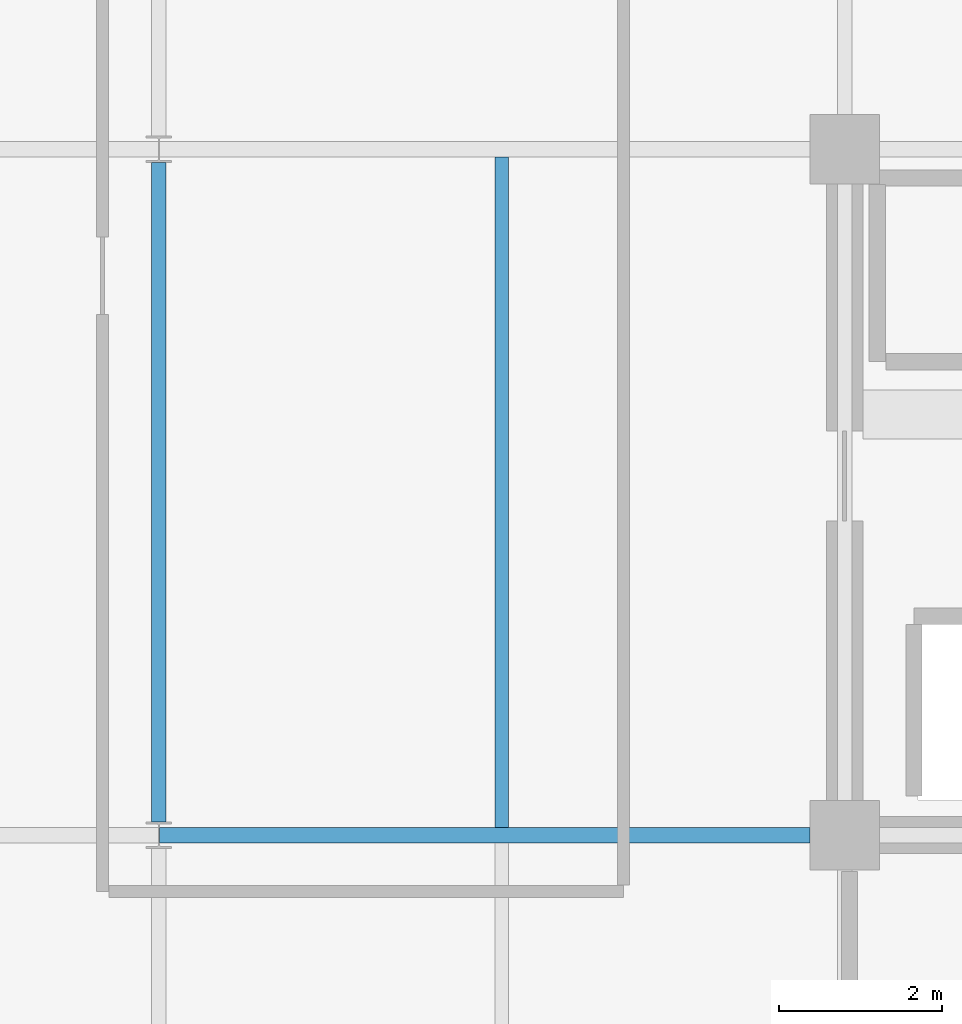
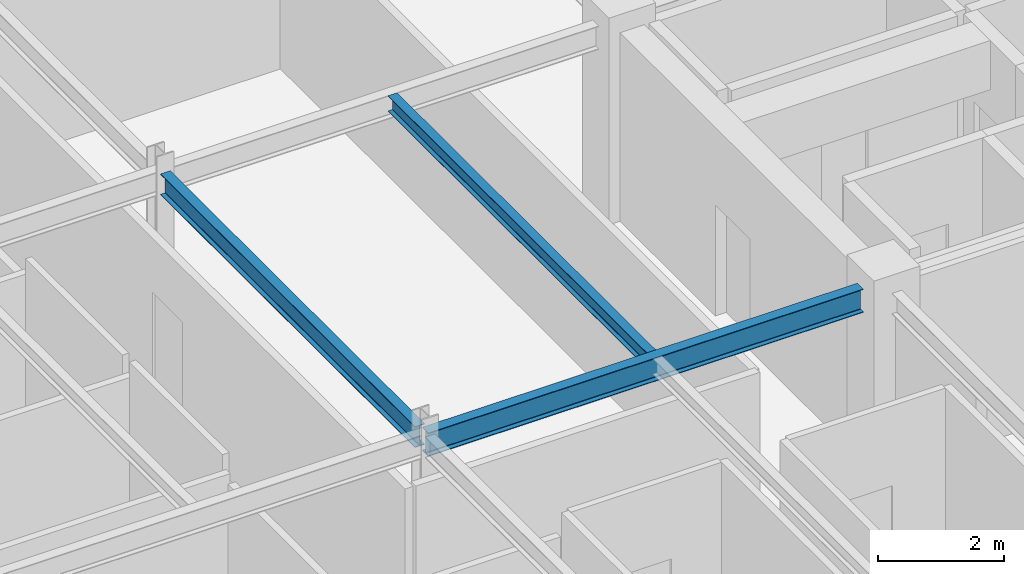
# One storey, part 6 of 26: 3 beams.
"""IFC4 building model written with IfcOpenShell, lengths in metres."""

from ifc_helpers import new_model, si_unit, direction, frame, origin, origin_2d, place, context, subcontext, project, spatial, i_section, extrude, material, material_profile, profile_set, type_object, element, save


model = new_model("IFC4")

# Units and contexts
model_context = context("Model", 3, precision=1e-05, world=origin(), true_north=direction((0.0, 1.0)))
body_context = subcontext(model_context, "Body", "Model", "MODEL_VIEW")
ifc_project = project(units=[si_unit("LENGTHUNIT", "METRE"), si_unit("AREAUNIT", "SQUARE_METRE"), si_unit("VOLUMEUNIT", "CUBIC_METRE"), si_unit("PLANEANGLEUNIT", "RADIAN"), si_unit("MASSUNIT", "GRAM", prefix="KILO")], contexts=[model_context])

# Site, building, storey
site_placement = place(None, origin())
site = spatial("IfcSite", under=ifc_project, at=site_placement, CompositionType="ELEMENT")
building_placement = place(site_placement, origin())
building = spatial("IfcBuilding", under=site, at=building_placement, Name="Nerrivon Quay Data Exchange", CompositionType="ELEMENT")
storey_placement = place(building_placement, frame((0.0, 0.0, 282.199951171875)))
storey = spatial("IfcBuildingStorey", under=building, at=storey_placement, Name="L67", CompositionType="ELEMENT", Elevation=282.199951171875)

# Beams
ifc_material = material(Name="Steel Grade 350", Category="steel")
ifc_material_profile_1 = material_profile(ifc_material, i_section(OverallWidth=0.18994140625, OverallDepth=0.4541015625, WebThickness=0.008544921875, FlangeThickness=0.0126953125, FilletRadius=0.011474609375, at=origin_2d()), Name="460UB67.1")
ifc_profile_set_1 = profile_set([ifc_material_profile_1], Name="Steel Grade 350")
beam_type_1 = type_object("IfcBeamType", Name="BM-G6-460UB67", PredefinedType="BEAM", material=ifc_profile_set_1)
beam_1_placement = place(storey_placement, frame((8.40771484375, 8.39990234375, 3.423095703125), z_axis=(1.0, 0.0, 0.0), x_axis=(0.0, 1.0, 0.0)))
element("IfcBeam", 1, at=beam_1_placement, inside=storey, type_object=beam_type_1, Name="L67 EW Girder Y=8.4 (8.4..16.8)", PredefinedType="BEAM", context=body_context, shape_type="SweptSolid", body=[
    extrude(i_section(OverallWidth=0.18994140625, OverallDepth=0.4541015625, WebThickness=0.008544921875, FlangeThickness=0.0126953125, FilletRadius=0.011474609375, at=origin_2d()), origin(), (0.0, 0.0, 1.0), 7.96728515625),
])
ifc_material_profile_2 = material_profile(ifc_material, i_section(OverallWidth=0.177978515625, OverallDepth=0.406005859375, WebThickness=0.0078125, FlangeThickness=0.0126953125, FilletRadius=0.011474609375, at=origin_2d()), Name="410UB59.7")
ifc_profile_set_2 = profile_set([ifc_material_profile_2], Name="Steel Grade 350")
beam_type_2 = type_object("IfcBeamType", Name="BM-J1-410UB60", PredefinedType="JOIST", material=ifc_profile_set_2)
beam_2_placement = place(storey_placement, frame((8.39990234375, 8.5634765625, 3.447021484375), z_axis=(0.0, 1.0, 0.0), x_axis=(-1.0, 0.0, 0.0)))
element("IfcBeam", 2, at=beam_2_placement, inside=storey, type_object=beam_type_2, Name="L67 NS Girder X=8.4 (8.4..16.8)", PredefinedType="JOIST", context=body_context, shape_type="SweptSolid", body=[
    extrude(i_section(OverallWidth=0.177978515625, OverallDepth=0.406005859375, WebThickness=0.0078125, FlangeThickness=0.0126953125, FilletRadius=0.011474609375, at=origin_2d()), origin(), (0.0, 0.0, 1.0), 8.072998046875),
])
ifc_material_profile_3 = material_profile(ifc_material, i_section(OverallWidth=0.1650390625, OverallDepth=0.303955078125, WebThickness=0.006103515625, FlangeThickness=0.01025390625, FilletRadius=0.011474609375, at=origin_2d()), Name="310UB40.4")
ifc_profile_set_3 = profile_set([ifc_material_profile_3], Name="Steel Grade 350")
beam_type_3 = type_object("IfcBeamType", Name="BM-J6-310UB40", PredefinedType="JOIST", material=ifc_profile_set_3)
beam_3_placement = place(storey_placement, frame((12.60009765625, 8.4951171875, 3.498046875), z_axis=(0.0, 1.0, 0.0), x_axis=(-1.0, 0.0, 0.0)))
element("IfcBeam", 3, at=beam_3_placement, inside=storey, type_object=beam_type_3, Name="L67 Secondary Joist X=12.6 (8.4..16.8)", PredefinedType="JOIST", context=body_context, shape_type="SweptSolid", body=[
    extrude(i_section(OverallWidth=0.1650390625, OverallDepth=0.303955078125, WebThickness=0.006103515625, FlangeThickness=0.01025390625, FilletRadius=0.011474609375, at=origin_2d()), origin(), (0.0, 0.0, 1.0), 8.2099609375),
])

save(model, "model.ifc")
